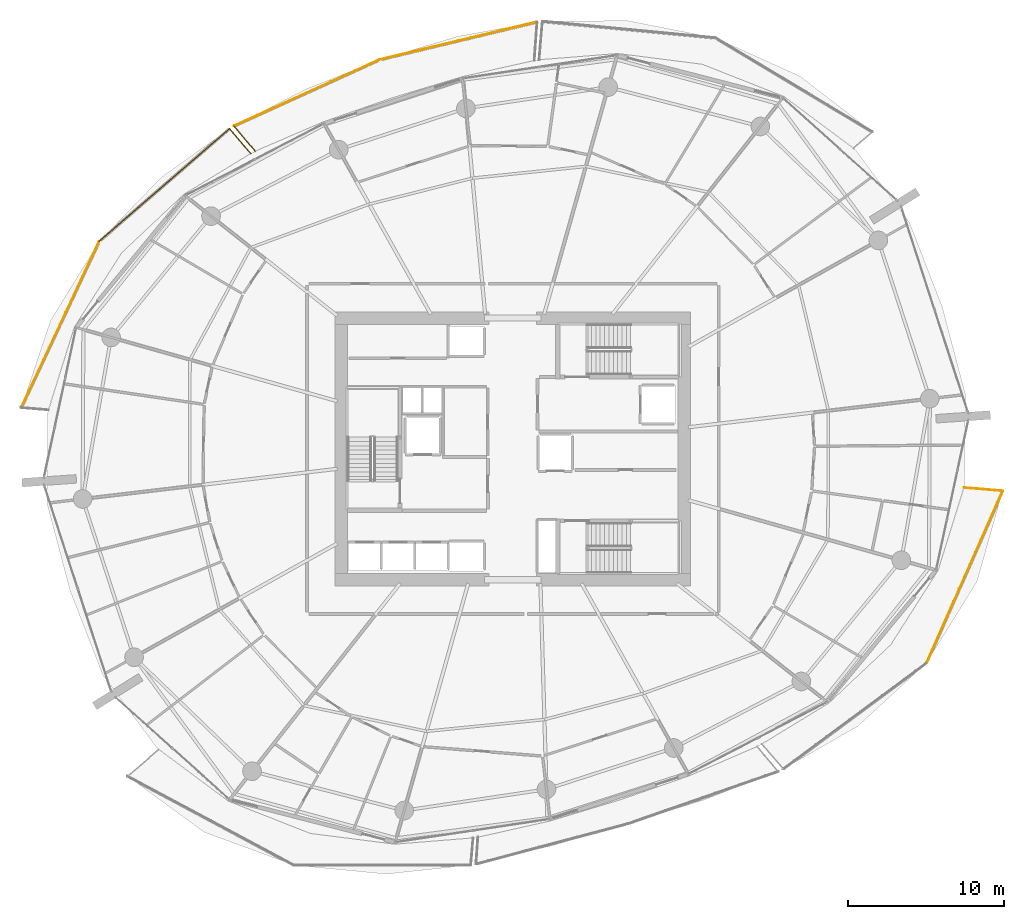
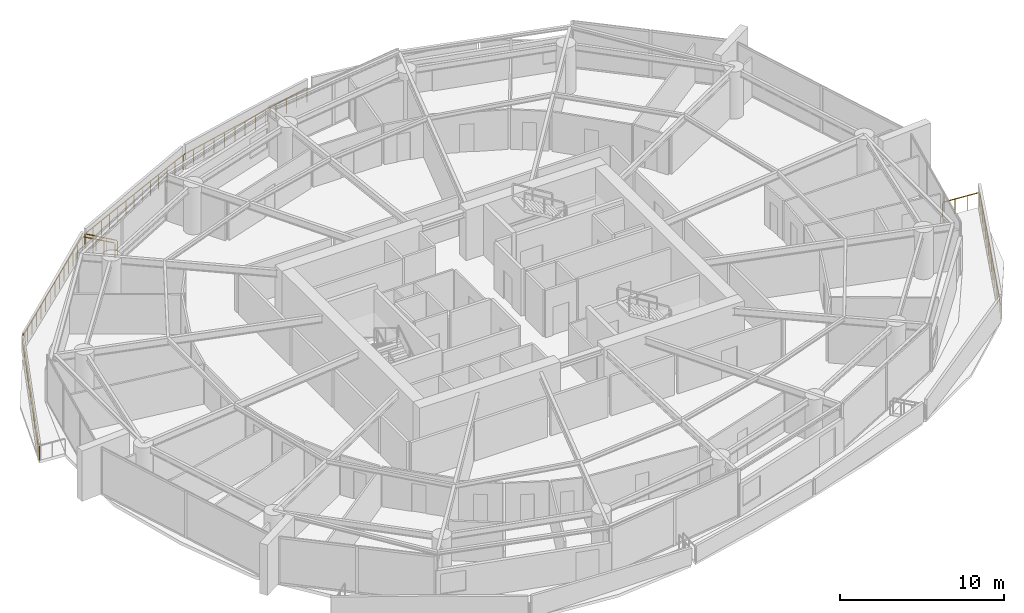
# One storey, part 20 of 22: 8 railings.
"""IFC4 building model written with IfcOpenShell, lengths in metres."""

from ifc_helpers import new_model, si_unit, direction, frame, origin, origin_2d, place, context, subcontext, project, spatial, rectangle, extrude, material, type_object, element, save


model = new_model("IFC4")

# Units and contexts
model_context = context("Model", 3, precision=1e-05, world=origin(), true_north=direction((0.0, 1.0)))
body_context = subcontext(model_context, "Body", "Model", "MODEL_VIEW")
ifc_project = project(units=[si_unit("LENGTHUNIT", "METRE"), si_unit("AREAUNIT", "SQUARE_METRE"), si_unit("VOLUMEUNIT", "CUBIC_METRE"), si_unit("PLANEANGLEUNIT", "RADIAN"), si_unit("MASSUNIT", "GRAM", prefix="KILO")], contexts=[model_context])

# Site, building, storey
site_placement = place(None, origin())
site = spatial("IfcSite", under=ifc_project, at=site_placement, CompositionType="ELEMENT")
building_placement = place(site_placement, origin())
building = spatial("IfcBuilding", under=site, at=building_placement, Name="Kazma Halo Residences", CompositionType="ELEMENT")
storey_placement = place(building_placement, frame((0.0, 0.0, 90.14990234375)))
storey = spatial("IfcBuildingStorey", under=building, at=storey_placement, Name="L22", CompositionType="ELEMENT", Elevation=90.14990234375)

# Railings
ifc_material = material(Name="Aluminium AW-6063 T6 Brushed Cap Rail", Category="aluminium")
railing_type = type_object("IfcRailingType", Name="RLG-BAL-CAP-1120", PredefinedType="BALUSTRADE", material=ifc_material)
railing_1_placement = place(storey_placement, frame((49.989501953125, 69.418701171875, 0.0)))
element("IfcRailing", 1, at=railing_1_placement, inside=storey, type_object=railing_type, Name="L22 NNW wave balcony guard 2", PredefinedType="BALUSTRADE", context=body_context, shape_type="SweptSolid", body=[
    extrude(rectangle(XDim=0.050048828125, YDim=0.050048828125, at=origin_2d()), frame((-0.041259765625, -0.010009765625, 1.09521484375), z_axis=(-0.972482281396, -0.23297684943, 0.0), x_axis=(0.23297684943, -0.972482281396, 0.0)), (0.0, 0.0, 1.0), 10.312255859375),
    extrude(rectangle(XDim=0.0400390625, YDim=0.0400390625, at=origin_2d()), origin(), (0.0, 0.0, 1.0), 1.05810546875),
    extrude(rectangle(XDim=0.0400390625, YDim=0.0400390625, at=origin_2d()), frame((-0.842529296875, -0.201904296875, 0.0)), (0.0, 0.0, 1.0), 1.05810546875),
    extrude(rectangle(XDim=0.0400390625, YDim=0.0400390625, at=origin_2d()), frame((-1.685302734375, -0.40380859375, 0.0)), (0.0, 0.0, 1.0), 1.05810546875),
    extrude(rectangle(XDim=0.0400390625, YDim=0.0400390625, at=origin_2d()), frame((-2.52783203125, -0.60546875, 0.0)), (0.0, 0.0, 1.0), 1.05810546875),
    extrude(rectangle(XDim=0.0400390625, YDim=0.0400390625, at=origin_2d()), frame((-3.370361328125, -0.807373046875, 0.0)), (0.0, 0.0, 1.0), 1.05810546875),
    extrude(rectangle(XDim=0.0400390625, YDim=0.0400390625, at=origin_2d()), frame((-4.213134765625, -1.00927734375, 0.0)), (0.0, 0.0, 1.0), 1.05810546875),
    extrude(rectangle(XDim=0.0400390625, YDim=0.0400390625, at=origin_2d()), frame((-5.0556640625, -1.211181640625, 0.0)), (0.0, 0.0, 1.0), 1.05810546875),
    extrude(rectangle(XDim=0.0400390625, YDim=0.0400390625, at=origin_2d()), frame((-5.898193359375, -1.4130859375, 0.0)), (0.0, 0.0, 1.0), 1.05810546875),
    extrude(rectangle(XDim=0.0400390625, YDim=0.0400390625, at=origin_2d()), frame((-6.740966796875, -1.614990234375, 0.0)), (0.0, 0.0, 1.0), 1.05810546875),
    extrude(rectangle(XDim=0.0400390625, YDim=0.0400390625, at=origin_2d()), frame((-7.58349609375, -1.81689453125, 0.0)), (0.0, 0.0, 1.0), 1.05810546875),
    extrude(rectangle(XDim=0.0400390625, YDim=0.0400390625, at=origin_2d()), frame((-8.426025390625, -2.0185546875, 0.0)), (0.0, 0.0, 1.0), 1.05810546875),
    extrude(rectangle(XDim=0.0400390625, YDim=0.0400390625, at=origin_2d()), frame((-9.268798828125, -2.220458984375, 0.0)), (0.0, 0.0, 1.0), 1.05810546875),
    extrude(rectangle(XDim=0.0400390625, YDim=0.0400390625, at=origin_2d()), frame((-10.111328125, -2.42236328125, 0.0)), (0.0, 0.0, 1.0), 1.05810546875),
])
railing_2_placement = place(storey_placement, frame((39.878173828125, 66.996337890625, 0.0)))
element("IfcRailing", 2, at=railing_2_placement, inside=storey, type_object=railing_type, Name="L22 NNW wave balcony guard 3", PredefinedType="BALUSTRADE", context=body_context, shape_type="SweptSolid", body=[
    extrude(rectangle(XDim=0.050048828125, YDim=0.050048828125, at=origin_2d()), frame((-0.038818359375, -0.017578125, 1.09521484375), z_axis=(-0.91022101605, -0.414122810216, 0.0), x_axis=(0.414122810216, -0.91022101605, 0.0)), (0.0, 0.0, 1.0), 10.20751953125),
    extrude(rectangle(XDim=0.0400390625, YDim=0.0400390625, at=origin_2d()), origin(), (0.0, 0.0, 1.0), 1.05810546875),
    extrude(rectangle(XDim=0.0400390625, YDim=0.0400390625, at=origin_2d()), frame((-0.78076171875, -0.355224609375, 0.0)), (0.0, 0.0, 1.0), 1.05810546875),
    extrude(rectangle(XDim=0.0400390625, YDim=0.0400390625, at=origin_2d()), frame((-1.5615234375, -0.71044921875, 0.0)), (0.0, 0.0, 1.0), 1.05810546875),
    extrude(rectangle(XDim=0.0400390625, YDim=0.0400390625, at=origin_2d()), frame((-2.34228515625, -1.065673828125, 0.0)), (0.0, 0.0, 1.0), 1.05810546875),
    extrude(rectangle(XDim=0.0400390625, YDim=0.0400390625, at=origin_2d()), frame((-3.122802734375, -1.4208984375, 0.0)), (0.0, 0.0, 1.0), 1.05810546875),
    extrude(rectangle(XDim=0.0400390625, YDim=0.0400390625, at=origin_2d()), frame((-3.903564453125, -1.776123046875, 0.0)), (0.0, 0.0, 1.0), 1.05810546875),
    extrude(rectangle(XDim=0.0400390625, YDim=0.0400390625, at=origin_2d()), frame((-4.684326171875, -2.13134765625, 0.0)), (0.0, 0.0, 1.0), 1.05810546875),
    extrude(rectangle(XDim=0.0400390625, YDim=0.0400390625, at=origin_2d()), frame((-5.465087890625, -2.486328125, 0.0)), (0.0, 0.0, 1.0), 1.05810546875),
    extrude(rectangle(XDim=0.0400390625, YDim=0.0400390625, at=origin_2d()), frame((-6.245849609375, -2.841552734375, 0.0)), (0.0, 0.0, 1.0), 1.05810546875),
    extrude(rectangle(XDim=0.0400390625, YDim=0.0400390625, at=origin_2d()), frame((-7.0263671875, -3.19677734375, 0.0)), (0.0, 0.0, 1.0), 1.05810546875),
    extrude(rectangle(XDim=0.0400390625, YDim=0.0400390625, at=origin_2d()), frame((-7.80712890625, -3.552001953125, 0.0)), (0.0, 0.0, 1.0), 1.05810546875),
    extrude(rectangle(XDim=0.0400390625, YDim=0.0400390625, at=origin_2d()), frame((-8.587890625, -3.9072265625, 0.0)), (0.0, 0.0, 1.0), 1.05810546875),
    extrude(rectangle(XDim=0.0400390625, YDim=0.0400390625, at=origin_2d()), frame((-9.36865234375, -4.262451171875, 0.0)), (0.0, 0.0, 1.0), 1.05810546875),
])
railing_3_placement = place(storey_placement, frame((30.509521484375, 62.73388671875, 0.0)))
element("IfcRailing", 3, at=railing_3_placement, inside=storey, type_object=railing_type, Name="L22 NNW wave balcony guard 4", PredefinedType="BALUSTRADE", context=body_context, shape_type="SweptSolid", body=[
    extrude(rectangle(XDim=0.050048828125, YDim=0.050048828125, at=origin_2d()), frame((0.02734375, -0.032470703125, 1.09521484375), z_axis=(0.644761328939, -0.76438395372, 0.0), x_axis=(0.76438395372, 0.644761328939, 0.0)), (0.0, 0.0, 1.0), 2.029296875),
    extrude(rectangle(XDim=0.0400390625, YDim=0.0400390625, at=origin_2d()), origin(), (0.0, 0.0, 1.0), 1.05810546875),
    extrude(rectangle(XDim=0.0400390625, YDim=0.0400390625, at=origin_2d()), frame((0.454345703125, -0.538818359375, 0.0)), (0.0, 0.0, 1.0), 1.05810546875),
    extrude(rectangle(XDim=0.0400390625, YDim=0.0400390625, at=origin_2d()), frame((0.908935546875, -1.077392578125, 0.0)), (0.0, 0.0, 1.0), 1.05810546875),
    extrude(rectangle(XDim=0.0400390625, YDim=0.0400390625, at=origin_2d()), frame((1.36328125, -1.6162109375, 0.0)), (0.0, 0.0, 1.0), 1.05810546875),
])
railing_4_placement = place(storey_placement, frame((31.59423828125, 60.972900390625, 0.0)))
element("IfcRailing", 4, at=railing_4_placement, inside=storey, type_object=railing_type, Name="L22 NW wave balcony guard 1", PredefinedType="BALUSTRADE", context=body_context, shape_type="SweptSolid", body=[
    extrude(rectangle(XDim=0.050048828125, YDim=0.050048828125, at=origin_2d()), frame((-0.02783203125, 0.0322265625, 1.09521484375), z_axis=(-0.654106998208, 0.756402032582, 0.0), x_axis=(-0.756402032582, -0.654106998208, 0.0)), (0.0, 0.0, 1.0), 2.01513671875),
    extrude(rectangle(XDim=0.0400390625, YDim=0.0400390625, at=origin_2d()), origin(), (0.0, 0.0, 1.0), 1.05810546875),
    extrude(rectangle(XDim=0.0400390625, YDim=0.0400390625, at=origin_2d()), frame((-0.4580078125, 0.529541015625, 0.0)), (0.0, 0.0, 1.0), 1.05810546875),
    extrude(rectangle(XDim=0.0400390625, YDim=0.0400390625, at=origin_2d()), frame((-0.915771484375, 1.05908203125, 0.0)), (0.0, 0.0, 1.0), 1.05810546875),
    extrude(rectangle(XDim=0.0400390625, YDim=0.0400390625, at=origin_2d()), frame((-1.373779296875, 1.588623046875, 0.0)), (0.0, 0.0, 1.0), 1.05810546875),
])
railing_5_placement = place(storey_placement, frame((30.220458984375, 62.5615234375, 0.0)))
element("IfcRailing", 5, at=railing_5_placement, inside=storey, type_object=railing_type, Name="L22 NW wave balcony guard 2", PredefinedType="BALUSTRADE", context=body_context, shape_type="SweptSolid", body=[
    extrude(rectangle(XDim=0.050048828125, YDim=0.050048828125, at=origin_2d()), frame((-0.0322265625, -0.02783203125, 1.09521484375), z_axis=(-0.756090139771, -0.654467493876, 0.0), x_axis=(0.654467493876, -0.756090139771, 0.0)), (0.0, 0.0, 1.0), 10.97802734375),
    extrude(rectangle(XDim=0.0400390625, YDim=0.0400390625, at=origin_2d()), origin(), (0.0, 0.0, 1.0), 1.05810546875),
    extrude(rectangle(XDim=0.0400390625, YDim=0.0400390625, at=origin_2d()), frame((-0.6435546875, -0.556884765625, 0.0)), (0.0, 0.0, 1.0), 1.05810546875),
    extrude(rectangle(XDim=0.0400390625, YDim=0.0400390625, at=origin_2d()), frame((-1.286865234375, -1.114013671875, 0.0)), (0.0, 0.0, 1.0), 1.05810546875),
    extrude(rectangle(XDim=0.0400390625, YDim=0.0400390625, at=origin_2d()), frame((-1.930419921875, -1.6708984375, 0.0)), (0.0, 0.0, 1.0), 1.05810546875),
    extrude(rectangle(XDim=0.0400390625, YDim=0.0400390625, at=origin_2d()), frame((-2.57373046875, -2.227783203125, 0.0)), (0.0, 0.0, 1.0), 1.05810546875),
    extrude(rectangle(XDim=0.0400390625, YDim=0.0400390625, at=origin_2d()), frame((-3.21728515625, -2.784912109375, 0.0)), (0.0, 0.0, 1.0), 1.05810546875),
    extrude(rectangle(XDim=0.0400390625, YDim=0.0400390625, at=origin_2d()), frame((-3.860595703125, -3.341796875, 0.0)), (0.0, 0.0, 1.0), 1.05810546875),
    extrude(rectangle(XDim=0.0400390625, YDim=0.0400390625, at=origin_2d()), frame((-4.504150390625, -3.898681640625, 0.0)), (0.0, 0.0, 1.0), 1.05810546875),
    extrude(rectangle(XDim=0.0400390625, YDim=0.0400390625, at=origin_2d()), frame((-5.1474609375, -4.45556640625, 0.0)), (0.0, 0.0, 1.0), 1.05810546875),
    extrude(rectangle(XDim=0.0400390625, YDim=0.0400390625, at=origin_2d()), frame((-5.791015625, -5.0126953125, 0.0)), (0.0, 0.0, 1.0), 1.05810546875),
    extrude(rectangle(XDim=0.0400390625, YDim=0.0400390625, at=origin_2d()), frame((-6.434326171875, -5.569580078125, 0.0)), (0.0, 0.0, 1.0), 1.05810546875),
    extrude(rectangle(XDim=0.0400390625, YDim=0.0400390625, at=origin_2d()), frame((-7.077880859375, -6.12646484375, 0.0)), (0.0, 0.0, 1.0), 1.05810546875),
    extrude(rectangle(XDim=0.0400390625, YDim=0.0400390625, at=origin_2d()), frame((-7.72119140625, -6.68359375, 0.0)), (0.0, 0.0, 1.0), 1.05810546875),
    extrude(rectangle(XDim=0.0400390625, YDim=0.0400390625, at=origin_2d()), frame((-8.36474609375, -7.240478515625, 0.0)), (0.0, 0.0, 1.0), 1.05810546875),
])
railing_6_placement = place(storey_placement, frame((21.855712890625, 55.321044921875, 0.0)))
element("IfcRailing", 6, at=railing_6_placement, inside=storey, type_object=railing_type, Name="L22 NW wave balcony guard 3", PredefinedType="BALUSTRADE", context=body_context, shape_type="SweptSolid", body=[
    extrude(rectangle(XDim=0.050048828125, YDim=0.050048828125, at=origin_2d()), frame((-0.01806640625, -0.03857421875, 1.09521484375), z_axis=(-0.424193033008, -0.905571792156, 0.0), x_axis=(0.905571792156, -0.424193033008, 0.0)), (0.0, 0.0, 1.0), 11.70654296875),
    extrude(rectangle(XDim=0.0400390625, YDim=0.0400390625, at=origin_2d()), origin(), (0.0, 0.0, 1.0), 1.05810546875),
    extrude(rectangle(XDim=0.0400390625, YDim=0.0400390625, at=origin_2d()), frame((-0.357177734375, -0.7626953125, 0.0)), (0.0, 0.0, 1.0), 1.05810546875),
    extrude(rectangle(XDim=0.0400390625, YDim=0.0400390625, at=origin_2d()), frame((-0.714599609375, -1.525390625, 0.0)), (0.0, 0.0, 1.0), 1.05810546875),
    extrude(rectangle(XDim=0.0400390625, YDim=0.0400390625, at=origin_2d()), frame((-1.07177734375, -2.2880859375, 0.0)), (0.0, 0.0, 1.0), 1.05810546875),
    extrude(rectangle(XDim=0.0400390625, YDim=0.0400390625, at=origin_2d()), frame((-1.42919921875, -3.051025390625, 0.0)), (0.0, 0.0, 1.0), 1.05810546875),
    extrude(rectangle(XDim=0.0400390625, YDim=0.0400390625, at=origin_2d()), frame((-1.786376953125, -3.813720703125, 0.0)), (0.0, 0.0, 1.0), 1.05810546875),
    extrude(rectangle(XDim=0.0400390625, YDim=0.0400390625, at=origin_2d()), frame((-2.143798828125, -4.576416015625, 0.0)), (0.0, 0.0, 1.0), 1.05810546875),
    extrude(rectangle(XDim=0.0400390625, YDim=0.0400390625, at=origin_2d()), frame((-2.5009765625, -5.339111328125, 0.0)), (0.0, 0.0, 1.0), 1.05810546875),
    extrude(rectangle(XDim=0.0400390625, YDim=0.0400390625, at=origin_2d()), frame((-2.858154296875, -6.101806640625, 0.0)), (0.0, 0.0, 1.0), 1.05810546875),
    extrude(rectangle(XDim=0.0400390625, YDim=0.0400390625, at=origin_2d()), frame((-3.215576171875, -6.864501953125, 0.0)), (0.0, 0.0, 1.0), 1.05810546875),
    extrude(rectangle(XDim=0.0400390625, YDim=0.0400390625, at=origin_2d()), frame((-3.57275390625, -7.627197265625, 0.0)), (0.0, 0.0, 1.0), 1.05810546875),
    extrude(rectangle(XDim=0.0400390625, YDim=0.0400390625, at=origin_2d()), frame((-3.93017578125, -8.39013671875, 0.0)), (0.0, 0.0, 1.0), 1.05810546875),
    extrude(rectangle(XDim=0.0400390625, YDim=0.0400390625, at=origin_2d()), frame((-4.287353515625, -9.15283203125, 0.0)), (0.0, 0.0, 1.0), 1.05810546875),
    extrude(rectangle(XDim=0.0400390625, YDim=0.0400390625, at=origin_2d()), frame((-4.644775390625, -9.91552734375, 0.0)), (0.0, 0.0, 1.0), 1.05810546875),
    extrude(rectangle(XDim=0.0400390625, YDim=0.0400390625, at=origin_2d()), frame((-5.001953125, -10.67822265625, 0.0)), (0.0, 0.0, 1.0), 1.05810546875),
])
railing_7_placement = place(storey_placement, frame((75.000244140625, 28.24267578125, 0.0)))
element("IfcRailing", 7, at=railing_7_placement, inside=storey, type_object=railing_type, Name="L22 SE wave balcony guard 3", PredefinedType="BALUSTRADE", context=body_context, shape_type="SweptSolid", body=[
    extrude(rectangle(XDim=0.050048828125, YDim=0.050048828125, at=origin_2d()), frame((0.017333984375, 0.038818359375, 1.09521484375), z_axis=(0.404784771559, 0.914411990688, 0.0), x_axis=(-0.914411990688, 0.404784771559, 0.0)), (0.0, 0.0, 1.0), 12.00048828125),
    extrude(rectangle(XDim=0.0400390625, YDim=0.0400390625, at=origin_2d()), origin(), (0.0, 0.0, 1.0), 1.05810546875),
    extrude(rectangle(XDim=0.0400390625, YDim=0.0400390625, at=origin_2d()), frame((0.349365234375, 0.789306640625, 0.0)), (0.0, 0.0, 1.0), 1.05810546875),
    extrude(rectangle(XDim=0.0400390625, YDim=0.0400390625, at=origin_2d()), frame((0.698974609375, 1.578857421875, 0.0)), (0.0, 0.0, 1.0), 1.05810546875),
    extrude(rectangle(XDim=0.0400390625, YDim=0.0400390625, at=origin_2d()), frame((1.04833984375, 2.3681640625, 0.0)), (0.0, 0.0, 1.0), 1.05810546875),
    extrude(rectangle(XDim=0.0400390625, YDim=0.0400390625, at=origin_2d()), frame((1.397705078125, 3.157470703125, 0.0)), (0.0, 0.0, 1.0), 1.05810546875),
    extrude(rectangle(XDim=0.0400390625, YDim=0.0400390625, at=origin_2d()), frame((1.7470703125, 3.94677734375, 0.0)), (0.0, 0.0, 1.0), 1.05810546875),
    extrude(rectangle(XDim=0.0400390625, YDim=0.0400390625, at=origin_2d()), frame((2.0966796875, 4.736328125, 0.0)), (0.0, 0.0, 1.0), 1.05810546875),
    extrude(rectangle(XDim=0.0400390625, YDim=0.0400390625, at=origin_2d()), frame((2.446044921875, 5.525634765625, 0.0)), (0.0, 0.0, 1.0), 1.05810546875),
    extrude(rectangle(XDim=0.0400390625, YDim=0.0400390625, at=origin_2d()), frame((2.79541015625, 6.31494140625, 0.0)), (0.0, 0.0, 1.0), 1.05810546875),
    extrude(rectangle(XDim=0.0400390625, YDim=0.0400390625, at=origin_2d()), frame((3.14501953125, 7.1044921875, 0.0)), (0.0, 0.0, 1.0), 1.05810546875),
    extrude(rectangle(XDim=0.0400390625, YDim=0.0400390625, at=origin_2d()), frame((3.494384765625, 7.893798828125, 0.0)), (0.0, 0.0, 1.0), 1.05810546875),
    extrude(rectangle(XDim=0.0400390625, YDim=0.0400390625, at=origin_2d()), frame((3.84375, 8.68310546875, 0.0)), (0.0, 0.0, 1.0), 1.05810546875),
    extrude(rectangle(XDim=0.0400390625, YDim=0.0400390625, at=origin_2d()), frame((4.193115234375, 9.472412109375, 0.0)), (0.0, 0.0, 1.0), 1.05810546875),
    extrude(rectangle(XDim=0.0400390625, YDim=0.0400390625, at=origin_2d()), frame((4.542724609375, 10.261962890625, 0.0)), (0.0, 0.0, 1.0), 1.05810546875),
    extrude(rectangle(XDim=0.0400390625, YDim=0.0400390625, at=origin_2d()), frame((4.89208984375, 11.05126953125, 0.0)), (0.0, 0.0, 1.0), 1.05810546875),
])
railing_8_placement = place(storey_placement, frame((79.892333984375, 39.2939453125, 0.0)))
element("IfcRailing", 8, at=railing_8_placement, inside=storey, type_object=railing_type, Name="L22 SE wave balcony guard 4", PredefinedType="BALUSTRADE", context=body_context, shape_type="SweptSolid", body=[
    extrude(rectangle(XDim=0.050048828125, YDim=0.050048828125, at=origin_2d()), frame((-0.04248046875, 0.003662109375, 1.09521484375), z_axis=(-0.99641838817, 0.084560012511, 0.0), x_axis=(-0.084560012511, -0.99641838817, 0.0)), (0.0, 0.0, 1.0), 2.409423828125),
    extrude(rectangle(XDim=0.0400390625, YDim=0.0400390625, at=origin_2d()), origin(), (0.0, 0.0, 1.0), 1.05810546875),
    extrude(rectangle(XDim=0.0400390625, YDim=0.0400390625, at=origin_2d()), frame((-0.82861328125, 0.0703125, 0.0)), (0.0, 0.0, 1.0), 1.05810546875),
    extrude(rectangle(XDim=0.0400390625, YDim=0.0400390625, at=origin_2d()), frame((-1.656982421875, 0.140625, 0.0)), (0.0, 0.0, 1.0), 1.05810546875),
    extrude(rectangle(XDim=0.0400390625, YDim=0.0400390625, at=origin_2d()), frame((-2.485595703125, 0.2109375, 0.0)), (0.0, 0.0, 1.0), 1.05810546875),
])

save(model, "model.ifc")
